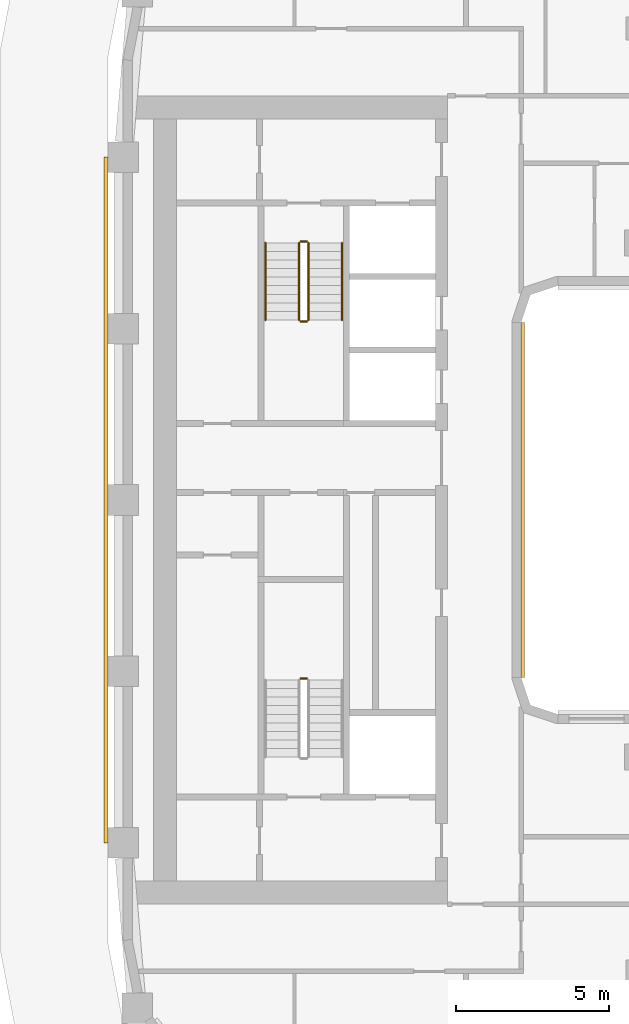
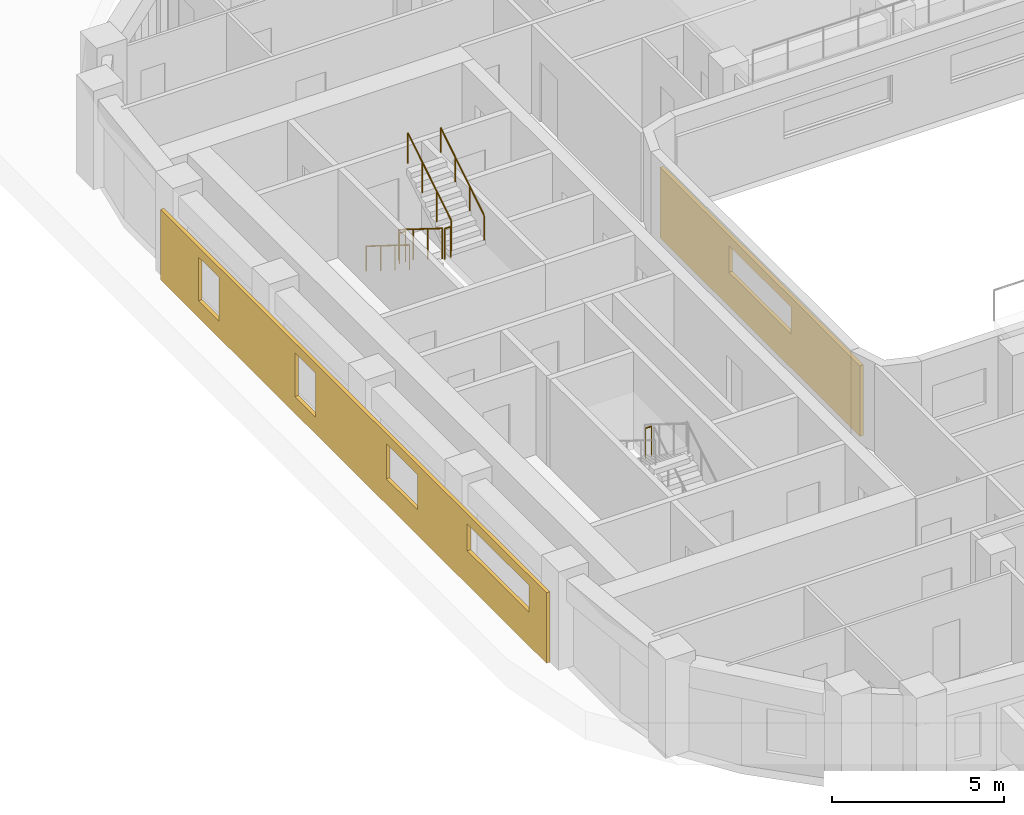
# One storey, part 13 of 17: 7 railings, 2 coverings.
"""IFC4 building model written with IfcOpenShell, lengths in metres."""

from ifc_helpers import new_model, si_unit, direction, frame, origin, origin_2d, place, context, subcontext, project, spatial, polyline, circle, outline, extrude, material, layer, layer_set, type_object, element, save


model = new_model("IFC4")

# Units and contexts
model_context = context("Model", 3, precision=1e-05, world=origin(), true_north=direction((0.0, 1.0)))
body_context = subcontext(model_context, "Body", "Model", "MODEL_VIEW")
ifc_project = project(units=[si_unit("LENGTHUNIT", "METRE"), si_unit("AREAUNIT", "SQUARE_METRE"), si_unit("VOLUMEUNIT", "CUBIC_METRE"), si_unit("PLANEANGLEUNIT", "RADIAN"), si_unit("MASSUNIT", "GRAM", prefix="KILO")], contexts=[model_context])

# Site, building, storey
site_placement = place(None, origin())
site = spatial("IfcSite", under=ifc_project, at=site_placement, CompositionType="ELEMENT")
building_placement = place(site_placement, origin())
building = spatial("IfcBuilding", under=site, at=building_placement, Name="Kiln Ring Residences", CompositionType="ELEMENT")
storey_placement = place(building_placement, frame((0.0, 0.0, 174.60009765625)))
storey = spatial("IfcBuildingStorey", under=building, at=storey_placement, Name="L45", CompositionType="ELEMENT", Elevation=174.60009765625)

# Railings
ifc_material_1 = material(Name="Stainless steel", Category="steel")
railing_type_1 = type_object("IfcRailingType", Name="CORE-STAIR-GUARD", PredefinedType="GUARDRAIL", material=ifc_material_1)
railing_1_placement = place(storey_placement, frame((-22.25, 8.39990234375, 0.1748046875)))
element("IfcRailing", 1, at=railing_1_placement, inside=storey, type_object=railing_type_1, Name="L45 W-STN stair guard 1", PredefinedType="GUARDRAIL", context=body_context, shape_type="SweptSolid", body=[
    extrude(circle(Radius=0.02392578125, at=origin_2d()), frame((0.0, 0.0, 1.076171875), z_axis=(0.0, -0.847970611238, 0.530043245855), x_axis=(1.0, 0.0, 0.0)), (0.0, 0.0, 1.0), 2.971923828125),
    extrude(circle(Radius=0.02099609375, at=origin_2d()), origin(), (0.0, 0.0, 1.0), 1.052001953125),
    extrude(circle(Radius=0.02099609375, at=origin_2d()), frame((0.0, -0.840087890625, 0.525146484375)), (0.0, 0.0, 1.0), 1.052001953125),
    extrude(circle(Radius=0.02099609375, at=origin_2d()), frame((0.0, -1.679931640625, 1.050048828125)), (0.0, 0.0, 1.0), 1.052001953125),
    extrude(circle(Radius=0.02099609375, at=origin_2d()), frame((0.0, -2.52001953125, 1.5751953125)), (0.0, 0.0, 1.0), 1.052001953125),
])
railing_2_placement = place(storey_placement, frame((-22.199951171875, 5.830078125, 1.75)))
element("IfcRailing", 2, at=railing_2_placement, inside=storey, type_object=railing_type_1, Name="L45 W-STN stair guard 2", PredefinedType="GUARDRAIL", context=body_context, shape_type="SweptSolid", body=[
    extrude(circle(Radius=0.02392578125, at=origin_2d()), frame((0.0, 0.0, 1.076171875), z_axis=(1.0, 0.0, 0.0), x_axis=(0.0, 1.0, 0.0)), (0.0, 0.0, 1.0), 0.199951171875),
    extrude(circle(Radius=0.02099609375, at=origin_2d()), origin(), (0.0, 0.0, 1.0), 1.052001953125),
    extrude(circle(Radius=0.02099609375, at=origin_2d()), frame((0.199951171875, 0.0, 0.0)), (0.0, 0.0, 1.0), 1.052001953125),
])
railing_3_placement = place(storey_placement, frame((-21.949951171875, 5.8798828125, 1.9248046875)))
element("IfcRailing", 3, at=railing_3_placement, inside=storey, type_object=railing_type_1, Name="L45 W-STN stair guard 3", PredefinedType="GUARDRAIL", context=body_context, shape_type="SweptSolid", body=[
    extrude(circle(Radius=0.02392578125, at=origin_2d()), frame((0.0, 0.0, 1.076171875), z_axis=(0.0, 0.847970611238, 0.530043245855), x_axis=(-1.0, 0.0, 0.0)), (0.0, 0.0, 1.0), 2.971923828125),
    extrude(circle(Radius=0.02099609375, at=origin_2d()), origin(), (0.0, 0.0, 1.0), 1.052001953125),
    extrude(circle(Radius=0.02099609375, at=origin_2d()), frame((0.0, 0.840087890625, 0.525146484375)), (0.0, 0.0, 1.0), 1.052001953125),
    extrude(circle(Radius=0.02099609375, at=origin_2d()), frame((0.0, 1.679931640625, 1.050048828125)), (0.0, 0.0, 1.0), 1.052001953125),
    extrude(circle(Radius=0.02099609375, at=origin_2d()), frame((0.0, 2.52001953125, 1.5751953125)), (0.0, 0.0, 1.0), 1.052001953125),
])
railing_4_placement = place(storey_placement, frame((-22.199951171875, 8.449951171875, 0.0)))
element("IfcRailing", 4, at=railing_4_placement, inside=storey, type_object=railing_type_1, Name="L45 W-STN stair guard 4", PredefinedType="GUARDRAIL", context=body_context, shape_type="SweptSolid", body=[
    extrude(circle(Radius=0.02392578125, at=origin_2d()), frame((0.0, 0.0, 1.076171875), z_axis=(1.0, 0.0, 0.0), x_axis=(0.0, 1.0, 0.0)), (0.0, 0.0, 1.0), 0.199951171875),
    extrude(circle(Radius=0.02099609375, at=origin_2d()), origin(), (0.0, 0.0, 1.0), 1.052001953125),
    extrude(circle(Radius=0.02099609375, at=origin_2d()), frame((0.199951171875, 0.0, 0.0)), (0.0, 0.0, 1.0), 1.052001953125),
])
railing_5_placement = place(storey_placement, frame((-22.0, -5.830078125, 1.75)))
element("IfcRailing", 5, at=railing_5_placement, inside=storey, type_object=railing_type_1, Name="L45 W-STS stair guard 2", PredefinedType="GUARDRAIL", context=body_context, shape_type="SweptSolid", body=[
    extrude(circle(Radius=0.02392578125, at=origin_2d()), frame((0.0, 0.0, 1.076171875), z_axis=(-1.0, 0.0, 0.0), x_axis=(0.0, -1.0, 0.0)), (0.0, 0.0, 1.0), 0.199951171875),
    extrude(circle(Radius=0.02099609375, at=origin_2d()), origin(), (0.0, 0.0, 1.0), 1.052001953125),
    extrude(circle(Radius=0.02099609375, at=origin_2d()), frame((-0.199951171875, 0.0, 0.0)), (0.0, 0.0, 1.0), 1.052001953125),
])
ifc_material_2 = material(Name="Stainless steel", Category="steel")
railing_type_2 = type_object("IfcRailingType", Name="CORE-STAIR-HANDRAIL", PredefinedType="HANDRAIL", material=ifc_material_2)
railing_6_placement = place(storey_placement, frame((-23.35009765625, 8.39990234375, 0.1748046875)))
element("IfcRailing", 6, at=railing_6_placement, inside=storey, type_object=railing_type_2, Name="L45 W-STN stair handrail 1", PredefinedType="HANDRAIL", context=body_context, shape_type="SweptSolid", body=[
    extrude(circle(Radius=0.02392578125, at=origin_2d()), frame((0.0, 0.0, 0.8759765625), z_axis=(0.0, -0.847970611238, 0.530043245855), x_axis=(1.0, 0.0, 0.0)), (0.0, 0.0, 1.0), 2.971923828125),
    extrude(circle(Radius=0.02099609375, at=origin_2d()), origin(), (0.0, 0.0, 1.0), 0.851806640625),
    extrude(circle(Radius=0.02099609375, at=origin_2d()), frame((0.0, -0.840087890625, 0.525146484375)), (0.0, 0.0, 1.0), 0.851806640625),
    extrude(circle(Radius=0.02099609375, at=origin_2d()), frame((0.0, -1.679931640625, 1.050048828125)), (0.0, 0.0, 1.0), 0.851806640625),
    extrude(circle(Radius=0.02099609375, at=origin_2d()), frame((0.0, -2.52001953125, 1.5751953125)), (0.0, 0.0, 1.0), 0.851806640625),
])
railing_7_placement = place(storey_placement, frame((-20.85009765625, 5.8798828125, 1.9248046875)))
element("IfcRailing", 7, at=railing_7_placement, inside=storey, type_object=railing_type_2, Name="L45 W-STN stair handrail 2", PredefinedType="HANDRAIL", context=body_context, shape_type="SweptSolid", body=[
    extrude(circle(Radius=0.02392578125, at=origin_2d()), frame((0.0, 0.0, 0.8759765625), z_axis=(0.0, 0.847970611238, 0.530043245855), x_axis=(-1.0, 0.0, 0.0)), (0.0, 0.0, 1.0), 2.971923828125),
    extrude(circle(Radius=0.02099609375, at=origin_2d()), origin(), (0.0, 0.0, 1.0), 0.851806640625),
    extrude(circle(Radius=0.02099609375, at=origin_2d()), frame((0.0, 0.840087890625, 0.525146484375)), (0.0, 0.0, 1.0), 0.851806640625),
    extrude(circle(Radius=0.02099609375, at=origin_2d()), frame((0.0, 1.679931640625, 1.050048828125)), (0.0, 0.0, 1.0), 0.851806640625),
    extrude(circle(Radius=0.02099609375, at=origin_2d()), frame((0.0, 2.52001953125, 1.5751953125)), (0.0, 0.0, 1.0), 0.851806640625),
])

# Coverings
ifc_material_3 = material(Name="Brick masonry, dark clay brick", Category="masonry")
ifc_layer = layer(ifc_material_3, 0.1201171875)
ifc_layer_set = layer_set([ifc_layer], Name="RAINSCREEN PANEL 120")
covering_type = type_object("IfcCoveringType", Name="RAINSCREEN PANEL 120", PredefinedType="CLADDING", material=ifc_layer_set)
covering_1_placement = place(storey_placement, frame((-28.56005859375, 11.199951171875, 0.0), z_axis=(0.0, 0.0, 1.0), x_axis=(0.0, -1.0, 0.0)))
element("IfcCovering", 8, at=covering_1_placement, inside=storey, type_object=covering_type, Name="RAINSCREEN L45", PredefinedType="CLADDING", context=body_context, shape_type="SweptSolid", body=[
    extrude(outline(polyline([(0.0, 0.0), (22.39990234375, 0.0), (22.39990234375, 2.5), (0.0, 2.5), (0.0, 0.0)]), holes=[polyline([(3.39990234375, 0.599853515625), (3.39990234375, 2.14990234375), (2.199951171875, 2.14990234375), (2.199951171875, 0.599853515625), (3.39990234375, 0.599853515625)]), polyline([(9.0, 0.599853515625), (9.0, 2.14990234375), (7.800048828125, 2.14990234375), (7.800048828125, 0.599853515625), (9.0, 0.599853515625)]), polyline([(14.89990234375, 0.89990234375), (14.89990234375, 2.14990234375), (13.10009765625, 2.14990234375), (13.10009765625, 0.89990234375), (14.89990234375, 0.89990234375)]), polyline([(21.39990234375, 1.199951171875), (21.39990234375, 2.14990234375), (17.800048828125, 2.14990234375), (17.800048828125, 1.199951171875), (21.39990234375, 1.199951171875)])]), frame((0.0, 0.06005859375, 0.0), z_axis=(0.0, -1.0, 0.0), x_axis=(1.0, 0.0, 0.0)), (0.0, 0.0, 1.0), 0.1201171875),
])
covering_2_placement = place(storey_placement, frame((-14.93994140625, -5.800048828125, 0.0), z_axis=(0.0, 0.0, 1.0), x_axis=(0.0, 1.0, 0.0)))
element("IfcCovering", 9, at=covering_2_placement, inside=storey, type_object=covering_type, Name="RAINSCREEN L45", PredefinedType="CLADDING", context=body_context, shape_type="SweptSolid", body=[
    extrude(outline(polyline([(0.0, 0.0), (11.60009765625, 0.0), (11.60009765625, 2.5), (0.0, 2.5), (0.0, 0.0)]), holes=[polyline([(4.0, 2.14990234375), (4.0, 1.199951171875), (7.60009765625, 1.199951171875), (7.60009765625, 2.14990234375), (4.0, 2.14990234375)])]), frame((0.0, 0.06005859375, 0.0), z_axis=(0.0, -1.0, 0.0), x_axis=(1.0, 0.0, 0.0)), (0.0, 0.0, 1.0), 0.1201171875),
])

save(model, "model.ifc")
